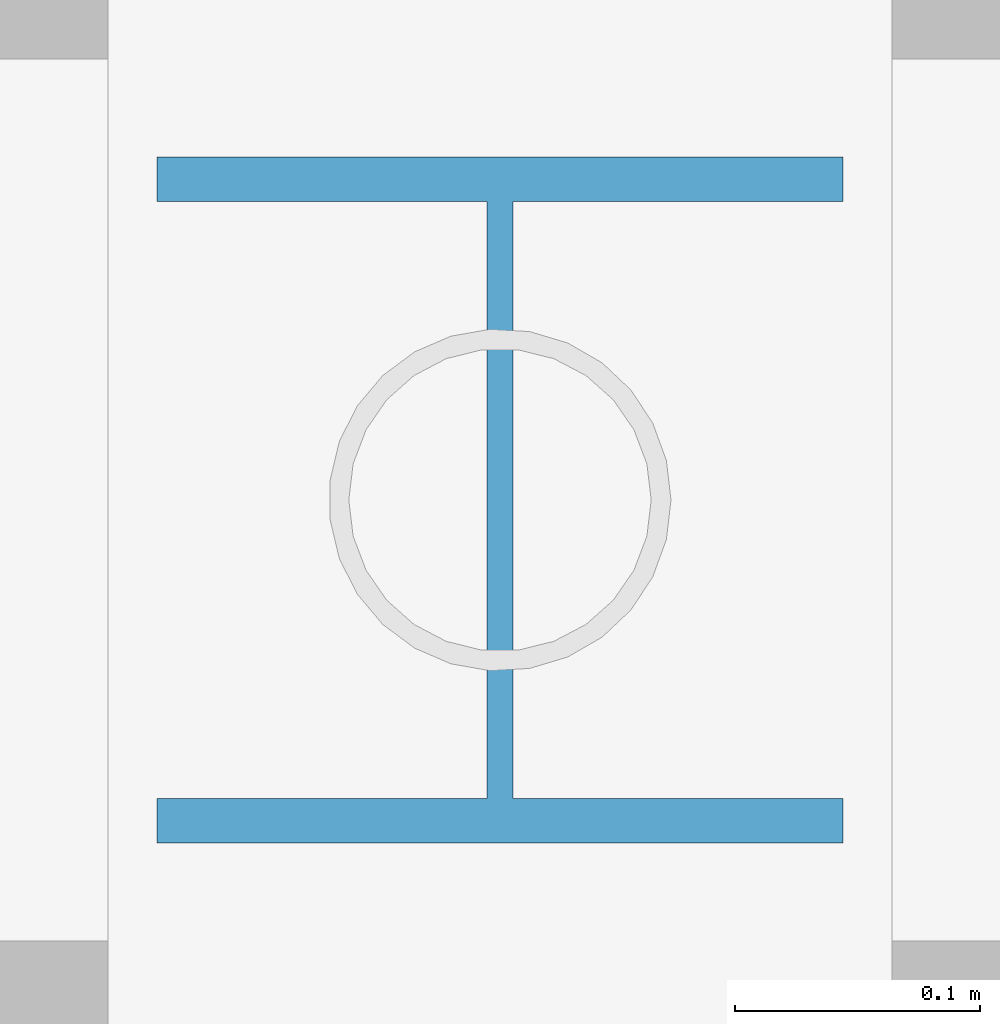
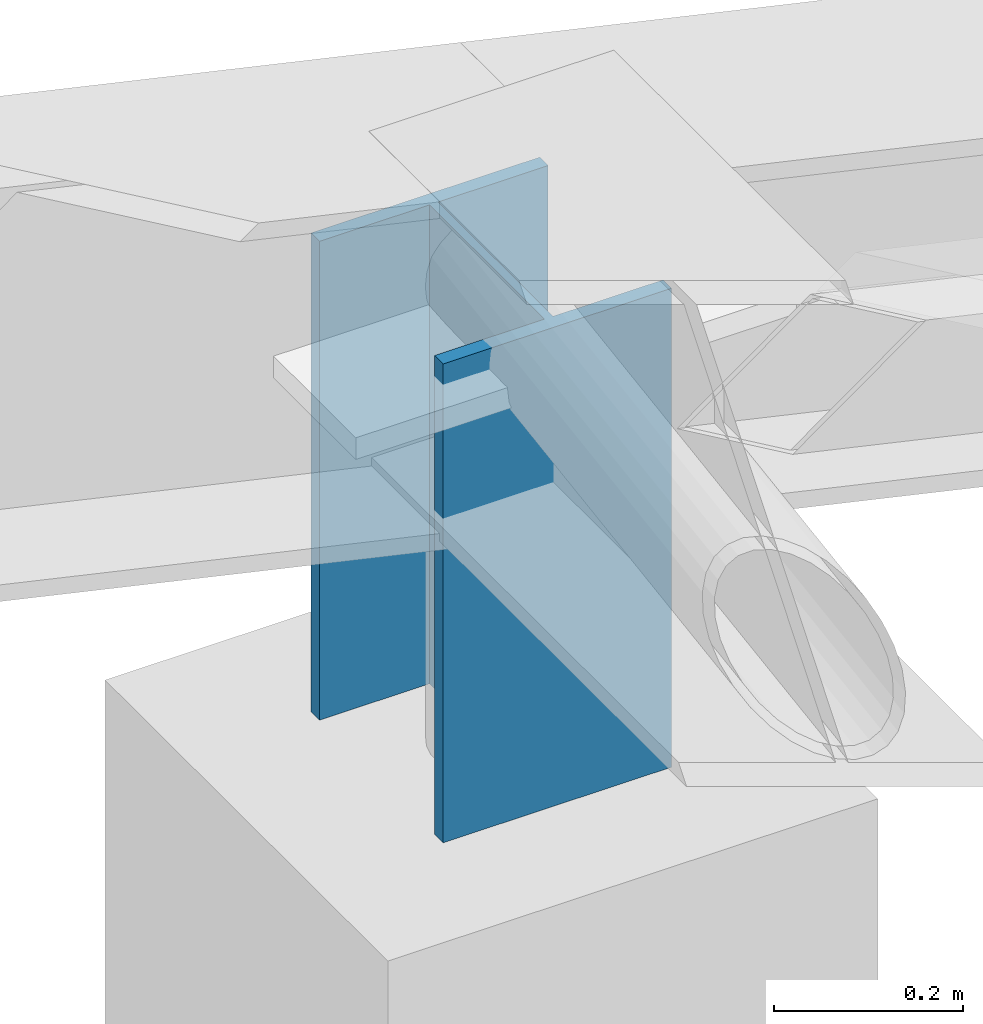
# One storey, part 14 of 130: 1 column.
"""IFC4 building model written with IfcOpenShell, lengths in metres."""

from ifc_helpers import new_model, si_unit, direction, frame, origin, origin_2d, place, context, subcontext, project, spatial, i_section, extrude, material, material_profile, profile_set, type_object, element, save


model = new_model("IFC4")

# Units and contexts
model_context = context("Model", 3, precision=1e-05, world=origin(), true_north=direction((0.0, 1.0)))
body_context = subcontext(model_context, "Body", "Model", "MODEL_VIEW")
ifc_project = project(units=[si_unit("LENGTHUNIT", "METRE"), si_unit("AREAUNIT", "SQUARE_METRE"), si_unit("VOLUMEUNIT", "CUBIC_METRE"), si_unit("PLANEANGLEUNIT", "RADIAN"), si_unit("MASSUNIT", "GRAM", prefix="KILO")], contexts=[model_context])

# Site, building, storey
site_placement = place(None, origin())
site = spatial("IfcSite", under=ifc_project, at=site_placement, CompositionType="ELEMENT")
building_placement = place(site_placement, origin())
building = spatial("IfcBuilding", under=site, at=building_placement, Name="Lykobir Media Centre", CompositionType="ELEMENT")
storey_placement = place(building_placement, frame((0.0, 0.0, 19.199951171875)))
storey = spatial("IfcBuildingStorey", under=building, at=storey_placement, Name="L04", CompositionType="ELEMENT", Elevation=19.199951171875)

# Column
ifc_material = material(Name="Steel S355", Category="steel")
ifc_material_profile = material_profile(ifc_material, i_section(OverallWidth=0.280029296875, OverallDepth=0.280029296875, WebThickness=0.010498046875, FlangeThickness=0.01806640625, at=origin_2d()), Name="HEB 280")
ifc_profile_set = profile_set([ifc_material_profile], Name="Steel S355")
column_type = type_object("IfcColumnType", Name="SC-HEB280-E", PredefinedType="COLUMN", material=ifc_profile_set)
column_placement = place(storey_placement, frame((63.0, 108.0, 4.199951171875), z_axis=(0.0, 0.0, 1.0), x_axis=(1.0, 0.0, 0.0)))
element("IfcColumn", 1, at=column_placement, inside=storey, type_object=column_type, Name="V6 roof portal post 63-108", PredefinedType="COLUMN", context=body_context, shape_type="SweptSolid", body=[
    extrude(i_section(OverallWidth=0.280029296875, OverallDepth=0.280029296875, WebThickness=0.010498046875, FlangeThickness=0.01806640625, at=origin_2d()), origin(), (0.0, 0.0, 1.0), 0.6201171875),
])

save(model, "model.ifc")
